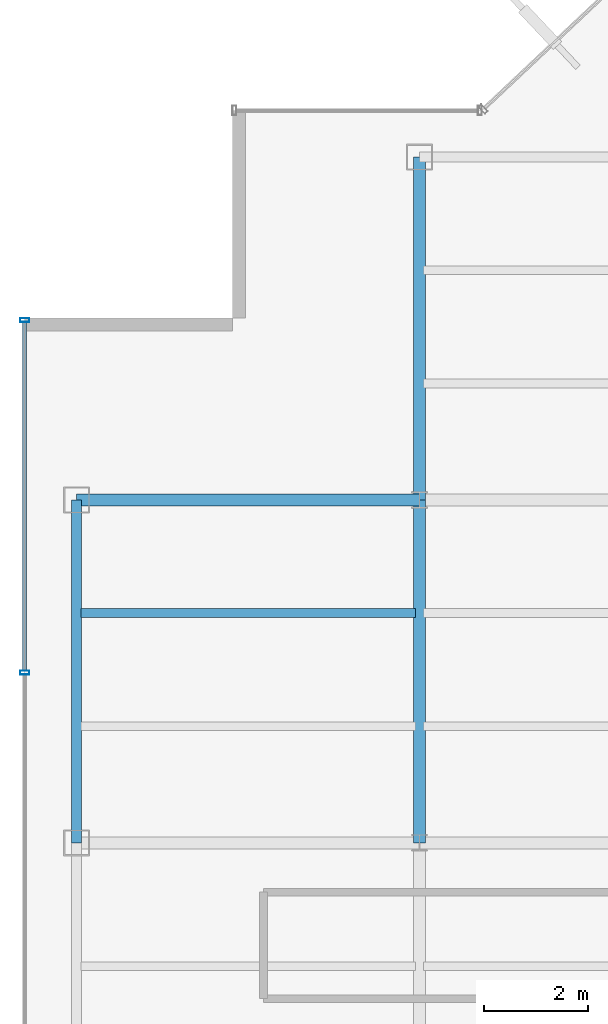
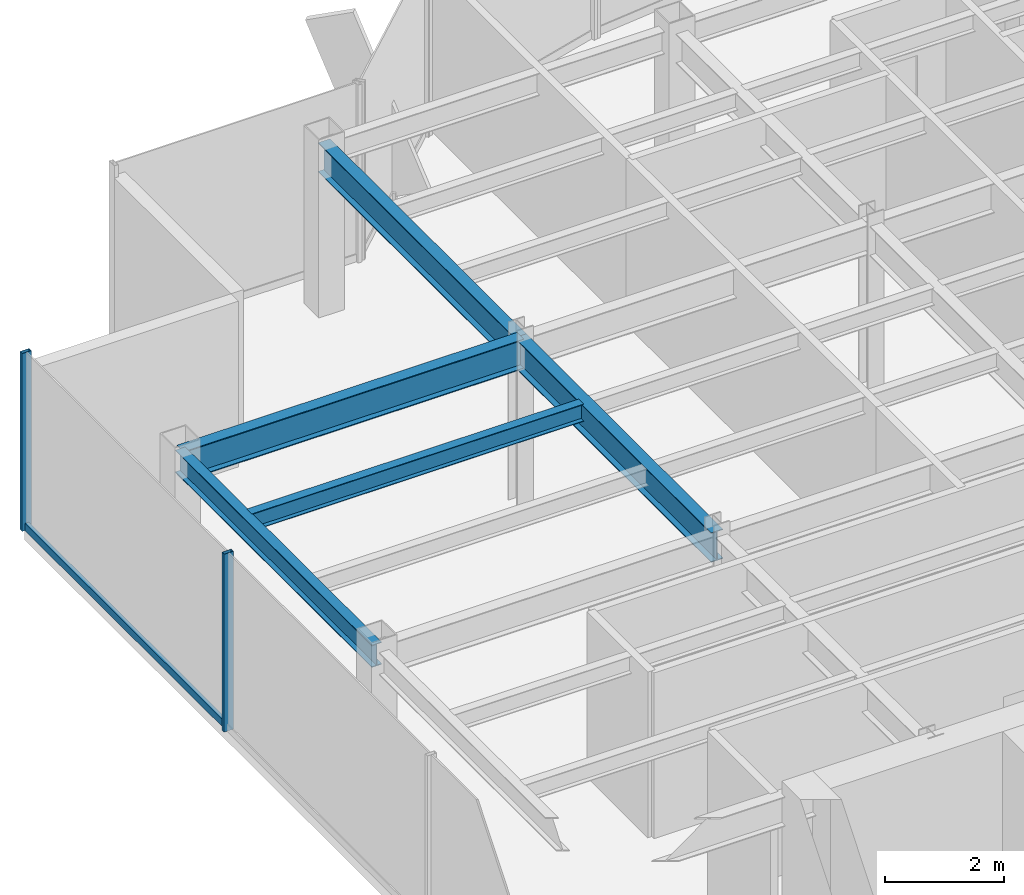
# One storey, part 7 of 22: 5 beams, 3 members, 1 element without a shape of its own.
"""IFC4 building model written with IfcOpenShell, lengths in metres."""

from ifc_helpers import new_model, si_unit, derived_unit, direction, frame, origin, origin_2d, place, context, subcontext, project, spatial, hollow_rectangle, i_section, extrude, source, transform, mapped, material, material_profile, profile_set, type_object, element, aggregate, save


model = new_model("IFC4")

# Units and contexts
model_context = context("Model", 3, precision=1e-05, world=origin(), true_north=direction((0.0, 1.0)))
body_context = subcontext(model_context, "Body", "Model", "MODEL_VIEW")
ifc_project = project(units=[si_unit("LENGTHUNIT", "METRE"), si_unit("AREAUNIT", "SQUARE_METRE"), si_unit("VOLUMEUNIT", "CUBIC_METRE"), si_unit("PLANEANGLEUNIT", "RADIAN"), si_unit("MASSUNIT", "GRAM", prefix="KILO"), derived_unit("THERMALTRANSMITTANCEUNIT", [(si_unit("POWERUNIT", "WATT"), 1), (si_unit("LENGTHUNIT", "METRE"), -2), (si_unit("THERMODYNAMICTEMPERATUREUNIT", "KELVIN"), -1)])], contexts=[model_context])

# Site, building, storey
site_placement = place(None, origin())
site = spatial("IfcSite", under=ifc_project, at=site_placement, CompositionType="ELEMENT")
building_placement = place(site_placement, origin())
building = spatial("IfcBuilding", under=site, at=building_placement, Name="Skarnbrae Concourse Arena and Tower", CompositionType="ELEMENT")
storey_placement = place(building_placement, frame((0.0, 0.0, 206.85009765625)))
storey = spatial("IfcBuildingStorey", under=building, at=storey_placement, Name="L53", CompositionType="ELEMENT", Elevation=206.85009765625)

# Beams
ifc_material_1 = material(Name="Steel CSA G40.21 350W", Category="steel")
ifc_material_profile_1 = material_profile(ifc_material_1, i_section(OverallWidth=0.22802734375, OverallDepth=0.60791015625, WebThickness=0.01123046875, FlangeThickness=0.017333984375, at=origin_2d()), Name="W610X113")
ifc_profile_set_1 = profile_set([ifc_material_profile_1], Name="Steel CSA G40.21 350W")
beam_type_1 = type_object("IfcBeamType", Name="BM-GIRD-W610X113", PredefinedType="BEAM", material=ifc_profile_set_1)
shared_shape_1 = source(origin(), body_context, "Body", "SweptSolid", [
    extrude(i_section(OverallWidth=0.22802734375, OverallDepth=0.60791015625, WebThickness=0.01123046875, FlangeThickness=0.017333984375, at=origin_2d()), origin(), (0.0, 0.0, 1.0), 6.60009765625),
])
for number, where, z_axis, x_axis, name in (
    (1, (1.0, 27.800048828125, 3.095947265625), (1.0, 0.0, 0.0), (0.0, 1.0, 0.0), "L53 Primary E-W girder Y27.8-1"),
    (2, (7.60009765625, 21.199951171875, 3.095947265625), (0.0, 1.0, 0.0), (-1.0, 0.0, 0.0), "L53 Primary N-S girder X7.6-2"),
):
    element("IfcBeam", number, at=place(storey_placement, frame(where, z_axis=z_axis, x_axis=x_axis)), inside=storey, type_object=beam_type_1, Name=name, PredefinedType="BEAM", context=body_context, shape_type="MappedRepresentation", body=[
        mapped(shared_shape_1, transform((0.0, 0.0, 0.0))),
    ])
ifc_material_profile_2 = material_profile(ifc_material_1, i_section(OverallWidth=0.19091796875, OverallDepth=0.4599609375, WebThickness=0.010009765625, FlangeThickness=0.01611328125, at=origin_2d()), Name="W460X82")
ifc_profile_set_2 = profile_set([ifc_material_profile_2], Name="Steel CSA G40.21 350W")
beam_type_2 = type_object("IfcBeamType", Name="BM-SPAN-W460X82", PredefinedType="SPANDREL", material=ifc_profile_set_2)
shared_shape_2 = source(origin(), body_context, "Body", "SweptSolid", [
    extrude(i_section(OverallWidth=0.19091796875, OverallDepth=0.4599609375, WebThickness=0.010009765625, FlangeThickness=0.01611328125, at=origin_2d()), origin(), (0.0, 0.0, 1.0), 6.60009765625),
])
beam_1_placement = place(storey_placement, frame((1.0, 21.199951171875, 3.169921875), z_axis=(0.0, 1.0, 0.0), x_axis=(-1.0, 0.0, 0.0)))
element("IfcBeam", 3, at=beam_1_placement, inside=storey, type_object=beam_type_2, Name="L53 Perimeter spandrel X1.0-3", PredefinedType="SPANDREL", context=body_context, shape_type="MappedRepresentation", body=[
    mapped(shared_shape_2, transform((0.0, 0.0, 0.0))),
])
shared_shape_3 = source(origin(), body_context, "Body", "SweptSolid", [
    extrude(i_section(OverallWidth=0.22802734375, OverallDepth=0.60791015625, WebThickness=0.01123046875, FlangeThickness=0.017333984375, at=origin_2d()), origin(), (0.0, 0.0, 1.0), 6.599853515625),
])
beam_2_placement = place(storey_placement, frame((7.60009765625, 27.800048828125, 3.095947265625), z_axis=(0.0, 1.0, 0.0), x_axis=(-1.0, 0.0, 0.0)))
element("IfcBeam", 4, at=beam_2_placement, inside=storey, type_object=beam_type_1, Name="L53 Primary N-S girder X7.6-3", PredefinedType="BEAM", context=body_context, shape_type="MappedRepresentation", body=[
    mapped(shared_shape_3, transform((0.0, 0.0, 0.0))),
])
ifc_material_profile_3 = material_profile(ifc_material_1, i_section(OverallWidth=0.1708984375, OverallDepth=0.35498046875, WebThickness=0.007080078125, FlangeThickness=0.01171875, at=origin_2d()), Name="W360X51")
ifc_profile_set_3 = profile_set([ifc_material_profile_3], Name="Steel CSA G40.21 350W")
beam_type_3 = type_object("IfcBeamType", Name="BM-JOIST-W360X51", PredefinedType="JOIST", material=ifc_profile_set_3)
shared_shape_4 = source(origin(), body_context, "Body", "SweptSolid", [
    extrude(i_section(OverallWidth=0.1708984375, OverallDepth=0.35498046875, WebThickness=0.007080078125, FlangeThickness=0.01171875, at=origin_2d()), origin(), (0.0, 0.0, 1.0), 6.43994140625),
])
beam_3_placement = place(storey_placement, frame((1.080078125, 25.6220703125, 3.222412109375), z_axis=(1.0, 0.0, 0.0), x_axis=(0.0, 1.0, 0.0)))
element("IfcBeam", 5, at=beam_3_placement, inside=storey, type_object=beam_type_3, Name="L53 Secondary floor joist 2.2.1", PredefinedType="JOIST", context=body_context, shape_type="MappedRepresentation", body=[
    mapped(shared_shape_4, transform((0.0, 0.0, 0.0))),
])

# Curtain wall, members
ifc_material_2 = material(Name="Bronze anodised aluminium 6063-T6", Category="aluminium")
curtain_wall_type = type_object("IfcCurtainWallType", Name="CW-SYS-05-HIGHZONE", PredefinedType="USERDEFINED", material=ifc_material_2)
curtain_wall_placement = place(storey_placement, origin())
curtain_wall = element("IfcCurtainWall", 6, at=curtain_wall_placement, inside=storey, type_object=curtain_wall_type, Name="L53 Unitised curtain wall CW-L53-E18", ObjectType="UNITISED CURTAIN WALL", PredefinedType="USERDEFINED")
ifc_material_profile_4 = material_profile(ifc_material_2, hollow_rectangle(XDim=0.074951171875, YDim=0.179931640625, WallThickness=0.00390625, at=origin_2d()), Name="ALU-MULL-75X180")
ifc_profile_set_4 = profile_set([ifc_material_profile_4], Name="Bronze anodised aluminium 6063-T6")
member_type_1 = type_object("IfcMemberType", Name="CWM-CW-05", PredefinedType="MULLION", material=ifc_profile_set_4)
shared_shape_5 = source(origin(), body_context, "Body", "SweptSolid", [
    extrude(hollow_rectangle(XDim=0.074951171875, YDim=0.179931640625, WallThickness=0.00390625, at=origin_2d()), origin(), (0.0, 0.0, 1.0), 3.64990234375),
])
member_1_placement = place(storey_placement, frame((0.0, 31.262451171875, 0.0), z_axis=(0.0, 0.0, 1.0), x_axis=(0.0, -1.0, 0.0)))
member_1 = element("IfcMember", 7, at=member_1_placement, type_object=member_type_1, Name="CW-L53-E18 Mullion 1", PredefinedType="MULLION", context=body_context, shape_type="MappedRepresentation", body=[
    mapped(shared_shape_5, transform((0.0, 0.0, 0.0))),
])
member_2_placement = place(storey_placement, frame((0.0, 24.47509765625, 0.0), z_axis=(0.0, 0.0, 1.0), x_axis=(0.0, -1.0, 0.0)))
member_2 = element("IfcMember", 8, at=member_2_placement, type_object=member_type_1, Name="CW-L53-E18 Mullion 2", PredefinedType="MULLION", context=body_context, shape_type="MappedRepresentation", body=[
    mapped(shared_shape_5, transform((0.0, 0.0, 0.0))),
])
ifc_material_profile_5 = material_profile(ifc_material_2, hollow_rectangle(XDim=0.074951171875, YDim=0.14990234375, WallThickness=0.00390625, at=origin_2d()), Name="ALU-TRAN-75X150")
ifc_profile_set_5 = profile_set([ifc_material_profile_5], Name="Bronze anodised aluminium 6063-T6")
member_type_2 = type_object("IfcMemberType", Name="CWT-CW-05", PredefinedType="USERDEFINED", material=ifc_profile_set_5)
shared_shape_6 = source(origin(), body_context, "Body", "SweptSolid", [
    extrude(hollow_rectangle(XDim=0.074951171875, YDim=0.14990234375, WallThickness=0.00390625, at=origin_2d()), origin(), (0.0, 0.0, 1.0), 6.712646484375),
])
member_3_placement = place(storey_placement, frame((0.0, 31.22509765625, 0.074951171875), z_axis=(0.0, -1.0, 0.0), x_axis=(1.0, 0.0, 0.0)))
member_3 = element("IfcMember", 9, at=member_3_placement, type_object=member_type_2, Name="CW-L53-E18 Transom 1", ObjectType="TRANSOM", PredefinedType="USERDEFINED", context=body_context, shape_type="MappedRepresentation", body=[
    mapped(shared_shape_6, transform((0.0, 0.0, 0.0))),
])
aggregate(curtain_wall, [member_1, member_2, member_3])

save(model, "model.ifc")
